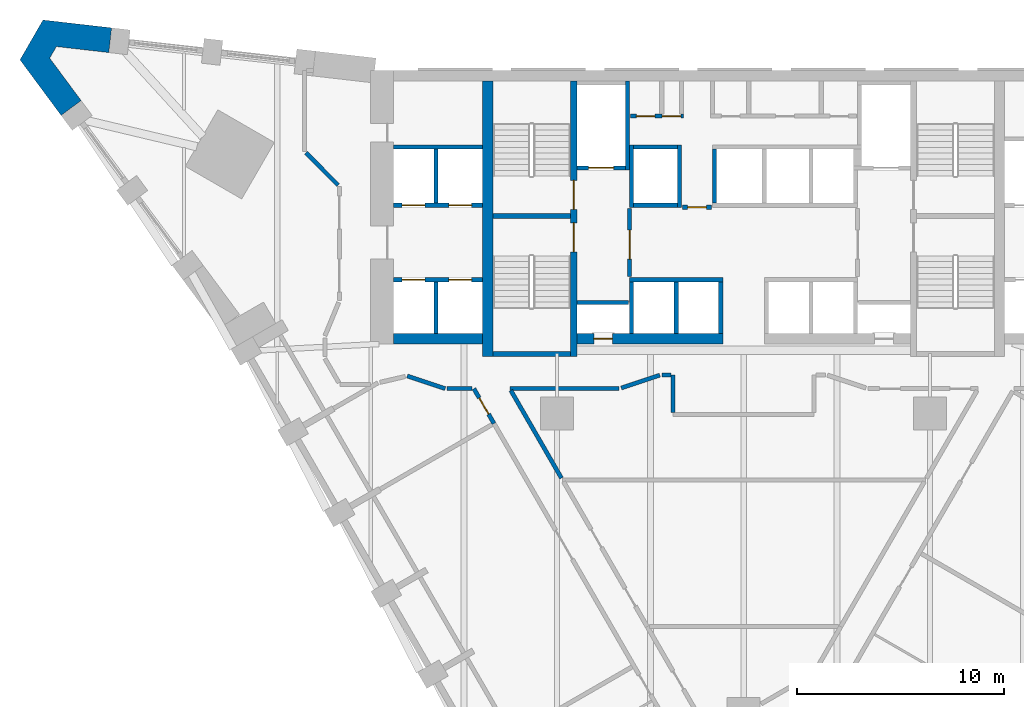
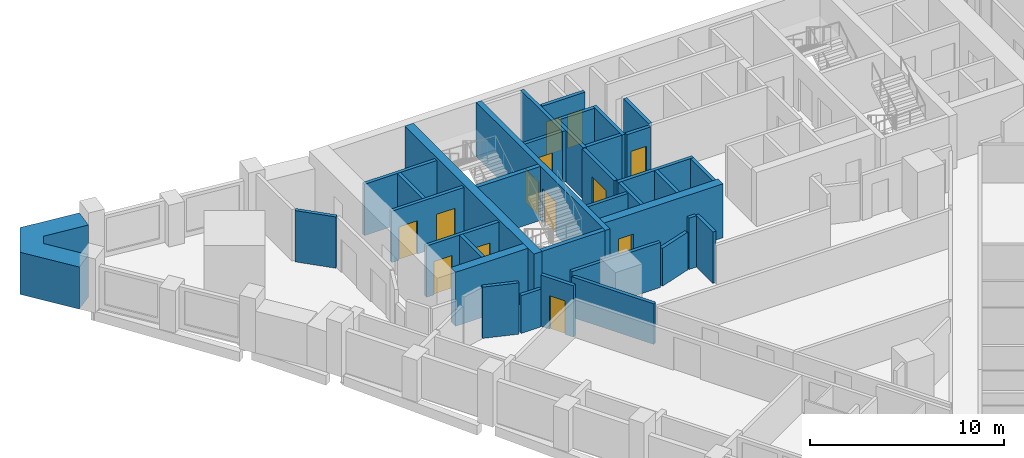
# One storey, part 6 of 10: 36 walls, 13 doors, 13 openings.
"""IFC4 building model written with IfcOpenShell, lengths in metres."""

from ifc_helpers import new_model, si_unit, direction, frame, frame_2d, origin, place, context, subcontext, project, spatial, polyline, rectangle, outline, extrude, material, layer, layer_set, type_object, element, fill, save


model = new_model("IFC4")

# Units and contexts
model_context = context("Model", 3, precision=1e-05, world=origin(), true_north=direction((0.0, 1.0)))
body_context = subcontext(model_context, "Body", "Model", "MODEL_VIEW")
ifc_project = project(units=[si_unit("LENGTHUNIT", "METRE"), si_unit("AREAUNIT", "SQUARE_METRE"), si_unit("VOLUMEUNIT", "CUBIC_METRE"), si_unit("PLANEANGLEUNIT", "RADIAN"), si_unit("MASSUNIT", "GRAM", prefix="KILO")], contexts=[model_context])

# Site, building, storey
site_placement = place(None, origin())
site = spatial("IfcSite", under=ifc_project, at=site_placement, CompositionType="ELEMENT")
building_placement = place(site_placement, origin())
building = spatial("IfcBuilding", under=site, at=building_placement, Name="Calabash Gate Tower", CompositionType="ELEMENT")
storey_placement = place(building_placement, frame((0.0, 0.0, 69.800048828125)))
storey = spatial("IfcBuildingStorey", under=building, at=storey_placement, Name="L13", CompositionType="ELEMENT", Elevation=69.800048828125)

# Walls
ifc_material_1 = material(Name="Terracotta brick masonry, exposed face", Category="masonry")
ifc_layer_1 = layer(ifc_material_1, 1.199951171875)
ifc_layer_set_1 = layer_set([ifc_layer_1], Name="Brick end wall 1200")
wall_type_1 = type_object("IfcWallType", Name="Brick end wall 1200", PredefinedType="SOLIDWALL", material=ifc_layer_set_1)
wall_1_placement = place(storey_placement, origin())
element("IfcWall", 1, at=wall_1_placement, inside=storey, type_object=wall_type_1, Name="Brick end wall S03 2", PredefinedType="SOLIDWALL", context=body_context, shape_type="SweptSolid", body=[
    extrude(outline(polyline([(-33.15966796875, 20.206787109375), (-30.630615234375, 19.917236328125), (-30.494140625, 21.109375), (-33.805419921875, 21.48876953125), (-34.915771484375, 19.5654296875), (-32.931884765625, 16.887451171875), (-31.967529296875, 17.601806640625), (-33.48291015625, 19.647216796875), (-33.15966796875, 20.206787109375)])), origin(), (0.0, 0.0, 1.0), 2.64990234375),
])
ifc_material_2 = material(Name="Concrete C80/95", Category="concrete")
ifc_layer_2 = layer(ifc_material_2, 0.25)
ifc_layer_set_2 = layer_set([ifc_layer_2], Name="Core wall 250 Concrete C80/95")
wall_type_2 = type_object("IfcWallType", Name="Core wall 250 Concrete C80/95", PredefinedType="SHEAR", material=ifc_layer_set_2)
for number, where, z_axis, x_axis, name in (
    (2, (-12.10009765625, 12.027587890625, 0.0), (0.0, 0.0, 1.0), (1.0, 0.0, 0.0), "Core wall Z1-MIDW L13"),
    (3, (-12.10009765625, 5.377685546875, 0.0), (0.0, 0.0, 1.0), (1.0, 0.0, 0.0), "Core wall Z1-SSW L13"),
):
    element("IfcWall", number, at=place(storey_placement, frame(where, z_axis=z_axis, x_axis=x_axis)), inside=storey, type_object=wall_type_2, Name=name, PredefinedType="SHEAR", context=body_context, shape_type="SweptSolid", body=[
        extrude(rectangle(XDim=3.75, YDim=0.25, at=frame_2d((1.875, 0.0))), origin(), (0.0, 0.0, 1.0), 3.39990234375),
    ])

# Wall, openings, doors
ifc_material_3 = material(Name="Concrete C80/95", Category="concrete")
ifc_layer_3 = layer(ifc_material_3, 0.300048828125)
ifc_layer_set_3 = layer_set([ifc_layer_3], Name="Core wall 300 Concrete C80/95")
wall_type_3 = type_object("IfcWallType", Name="Core wall 300 Concrete C80/95", PredefinedType="SHEAR", material=ifc_layer_set_3)
wall_2_placement = place(storey_placement, frame((-8.199951171875, 5.252685546875, 0.0), z_axis=(0.0, 0.0, 1.0), x_axis=(0.0, 1.0, 0.0)))
wall_2 = element("IfcWall", 4, at=wall_2_placement, inside=storey, type_object=wall_type_3, Name="Core wall Z1-PARTW L13", PredefinedType="SHEAR", context=body_context, shape_type="SweptSolid", body=[
    extrude(rectangle(XDim=13.2998046875, YDim=0.300048828125, at=frame_2d((6.64990234375, 0.0))), origin(), (0.0, 0.0, 1.0), 3.39990234375),
])
opening_1_placement = place(wall_2_placement, frame((7.10009765625, 0.0, 0.0)))
opening_1 = element("IfcOpeningElement", 5, at=opening_1_placement, cuts=wall_2, Name="Opening H3-015", PredefinedType="OPENING", context=body_context, shape_type="SweptSolid", body=[
    extrude(rectangle(XDim=1.39990234375, YDim=2.10009765625, at=frame_2d((0.699951171875, 1.050048828125))), frame((0.0, 0.159912109375, 0.0), z_axis=(0.0, -1.0, 0.0), x_axis=(1.0, 0.0, 0.0)), (0.0, 0.0, 1.0), 0.320068359375),
])
opening_2_placement = place(wall_2_placement, frame((5.050048828125, 0.0, 0.0)))
opening_2 = element("IfcOpeningElement", 6, at=opening_2_placement, cuts=wall_2, Name="Opening H3-016", PredefinedType="OPENING", context=body_context, shape_type="SweptSolid", body=[
    extrude(rectangle(XDim=1.39990234375, YDim=2.10009765625, at=frame_2d((0.699951171875, 1.050048828125))), frame((0.0, 0.159912109375, 0.0), z_axis=(0.0, -1.0, 0.0), x_axis=(1.0, 0.0, 0.0)), (0.0, 0.0, 1.0), 0.320068359375),
])
ifc_material_4 = material(Name="Steel fire door set with fire-resisting glazing", Category="steel")
door_type_1 = type_object("IfcDoorType", Name="Fire door D05 1400x2100 FD90", OperationType="NOTDEFINED", PredefinedType="DOOR", material=ifc_material_4)
door_1_placement = place(opening_1_placement, origin())
door_1 = element("IfcDoor", 7, at=door_1_placement, inside=storey, type_object=door_type_1, Name="Exit stair door ST1", OperationType="SINGLE_SWING_LEFT", OverallHeight=2.10009765625, OverallWidth=1.39990234375, PredefinedType="DOOR", context=body_context, shape_type="SweptSolid", body=[
    extrude(rectangle(XDim=1.39990234375, YDim=2.10009765625, at=frame_2d((0.699951171875, 1.050048828125))), frame((0.0, 0.02490234375, 0.0), z_axis=(0.0, -1.0, 0.0), x_axis=(1.0, 0.0, 0.0)), (0.0, 0.0, 1.0), 0.050048828125),
])
fill(opening_1, door_1)
door_2_placement = place(opening_2_placement, origin())
door_2 = element("IfcDoor", 8, at=door_2_placement, inside=storey, type_object=door_type_1, Name="Exit stair door ST2", OperationType="SINGLE_SWING_LEFT", OverallHeight=2.10009765625, OverallWidth=1.39990234375, PredefinedType="DOOR", context=body_context, shape_type="SweptSolid", body=[
    extrude(rectangle(XDim=1.39990234375, YDim=2.10009765625, at=frame_2d((0.699951171875, 1.050048828125))), frame((0.0, 0.02490234375, 0.0), z_axis=(0.0, -1.0, 0.0), x_axis=(1.0, 0.0, 0.0)), (0.0, 0.0, 1.0), 0.050048828125),
])
fill(opening_2, door_2)

# Wall
ifc_material_5 = material(Name="Concrete C80/95", Category="concrete")
ifc_layer_4 = layer(ifc_material_5, 0.5)
ifc_layer_set_4 = layer_set([ifc_layer_4], Name="Core wall 500 Concrete C80/95")
wall_type_4 = type_object("IfcWallType", Name="Core wall 500 Concrete C80/95", PredefinedType="SHEAR", material=ifc_layer_set_4)
wall_3_placement = place(storey_placement, frame((-12.35009765625, 5.252685546875, 0.0), z_axis=(0.0, 0.0, 1.0), x_axis=(0.0, 1.0, 0.0)))
element("IfcWall", 9, at=wall_3_placement, inside=storey, type_object=wall_type_4, Name="Core wall Z1-COLW L13", PredefinedType="SHEAR", context=body_context, shape_type="SweptSolid", body=[
    extrude(rectangle(XDim=13.2998046875, YDim=0.5, at=frame_2d((6.64990234375, 0.0))), origin(), (0.0, 0.0, 1.0), 3.39990234375),
])

# Wall, opening, door
wall_4_placement = place(storey_placement, frame((-8.050048828125, 6.1025390625, 0.0), z_axis=(0.0, 0.0, 1.0), x_axis=(1.0, 0.0, 0.0)))
wall_4 = element("IfcWall", 10, at=wall_4_placement, inside=storey, type_object=wall_type_4, Name="Core wall Z1-SA L13", PredefinedType="SHEAR", context=body_context, shape_type="SweptSolid", body=[
    extrude(rectangle(XDim=7.050048828125, YDim=0.5, at=frame_2d((3.52490234375, 0.0))), origin(), (0.0, 0.0, 1.0), 3.39990234375),
])
opening_3_placement = place(wall_4_placement, frame((0.824951171875, 0.0, 0.0)))
opening_3 = element("IfcOpeningElement", 11, at=opening_3_placement, cuts=wall_4, Name="Opening H3-014", PredefinedType="OPENING", context=body_context, shape_type="SweptSolid", body=[
    extrude(rectangle(XDim=0.89990234375, YDim=2.10009765625, at=frame_2d((0.449951171875, 1.050048828125))), frame((0.0, 0.260009765625, 0.0), z_axis=(0.0, -1.0, 0.0), x_axis=(1.0, 0.0, 0.0)), (0.0, 0.0, 1.0), 0.52001953125),
])
ifc_material_6 = material(Name="Steel fire door set with fire-resisting glazing", Category="steel")
door_type_2 = type_object("IfcDoorType", Name="Fire door D07 900x2100 FD90", OperationType="NOTDEFINED", PredefinedType="DOOR", material=ifc_material_6)
door_3_placement = place(opening_3_placement, origin())
door_3 = element("IfcDoor", 12, at=door_3_placement, inside=storey, type_object=door_type_2, Name="Electrical Riser W door", OperationType="SINGLE_SWING_LEFT", OverallHeight=2.10009765625, OverallWidth=0.89990234375, PredefinedType="DOOR", context=body_context, shape_type="SweptSolid", body=[
    extrude(rectangle(XDim=0.89990234375, YDim=2.10009765625, at=frame_2d((0.449951171875, 1.050048828125))), frame((0.0, 0.02490234375, 0.0), z_axis=(0.0, -1.0, 0.0), x_axis=(1.0, 0.0, 0.0)), (0.0, 0.0, 1.0), 0.050048828125),
])
fill(opening_3, door_3)

# Wall
wall_5_placement = place(storey_placement, frame((-12.60009765625, 6.1025390625, 0.0), z_axis=(0.0, 0.0, 1.0), x_axis=(-1.0, 0.0, 0.0)))
element("IfcWall", 13, at=wall_5_placement, inside=storey, type_object=wall_type_4, Name="Core wall Z1-SW L13", PredefinedType="SHEAR", context=body_context, shape_type="SweptSolid", body=[
    extrude(rectangle(XDim=4.2998046875, YDim=0.5, at=frame_2d((2.14990234375, 0.0))), origin(), (0.0, 0.0, 1.0), 3.39990234375),
])

# Wall, opening, door
ifc_material_7 = material(Name="Gypsum board on steel studs, mineral wool", Category="steel")
ifc_layer_5 = layer(ifc_material_7, 0.199951171875)
ifc_layer_set_5 = layer_set([ifc_layer_5], Name="Partition 200 gypsum board EI 60")
wall_type_5 = type_object("IfcWallType", Name="Partition 200 gypsum board EI 60", PredefinedType="PARTITIONING", material=ifc_layer_set_5)
wall_6_placement = place(storey_placement, frame((-13.0126953125, 3.699462890625, 0.0), z_axis=(0.0, 0.0, 1.0), x_axis=(0.499265012286, -0.866449333491, 0.0)))
wall_6 = element("IfcWall", 14, at=wall_6_placement, inside=storey, type_object=wall_type_5, Name="Partition", PredefinedType="PARTITIONING", context=body_context, shape_type="SweptSolid", body=[
    extrude(rectangle(XDim=1.94091796875, YDim=0.199951171875, at=frame_2d((0.970458984375, 0.0))), origin(), (0.0, 0.0, 1.0), 3.22998046875),
])
opening_4_placement = place(wall_6_placement, frame((0.5205078125, 0.0, 0.0)))
opening_4 = element("IfcOpeningElement", 15, at=opening_4_placement, cuts=wall_6, Name="Opening 12-14-021", PredefinedType="OPENING", context=body_context, shape_type="SweptSolid", body=[
    extrude(rectangle(XDim=0.89990234375, YDim=2.10009765625, at=frame_2d((0.449951171875, 1.050048828125))), frame((0.0, 0.10986328125, 0.0), z_axis=(0.0, -1.0, 0.0), x_axis=(1.0, 0.0, 0.0)), (0.0, 0.0, 1.0), 0.219970703125),
])
ifc_material_8 = material(Name="Steel fire door set with fire-resisting glazing", Category="steel")
door_type_3 = type_object("IfcDoorType", Name="SD3 Store door 900x2100", OperationType="NOTDEFINED", PredefinedType="DOOR", material=ifc_material_8)
door_4_placement = place(opening_4_placement, origin())
door_4 = element("IfcDoor", 16, at=door_4_placement, inside=storey, type_object=door_type_3, Name="Store door", OperationType="SINGLE_SWING_LEFT", OverallHeight=2.10009765625, OverallWidth=0.89990234375, PredefinedType="DOOR", context=body_context, shape_type="SweptSolid", body=[
    extrude(rectangle(XDim=0.89990234375, YDim=2.10009765625, at=frame_2d((0.449951171875, 1.050048828125))), frame((0.0, 0.02490234375, 0.0), z_axis=(0.0, -1.0, 0.0), x_axis=(1.0, 0.0, 0.0)), (0.0, 0.0, 1.0), 0.050048828125),
])
fill(opening_4, door_4)

# Walls
wall_7_placement = place(storey_placement, frame((-3.402099609375, 4.3505859375, 0.0), z_axis=(0.0, 0.0, 1.0), x_axis=(0.001086217961, -0.999999410065, 0.0)))
element("IfcWall", 17, at=wall_7_placement, inside=storey, type_object=wall_type_5, Name="Partition", PredefinedType="PARTITIONING", context=body_context, shape_type="SweptSolid", body=[
    extrude(rectangle(XDim=1.798095703125, YDim=0.199951171875, at=frame_2d((0.89892578125, 0.0))), origin(), (0.0, 0.0, 1.0), 3.22998046875),
])
wall_8_placement = place(storey_placement, frame((-11.22998046875, 3.61328125, 0.0), z_axis=(0.0, 0.0, 1.0), x_axis=(0.49997195544, -0.866041594713, 0.0)))
element("IfcWall", 18, at=wall_8_placement, inside=storey, type_object=wall_type_5, Name="Partition", PredefinedType="PARTITIONING", context=body_context, shape_type="SweptSolid", body=[
    extrude(rectangle(XDim=4.884521484375, YDim=0.199951171875, at=frame_2d((2.4423828125, 0.0))), origin(), (0.0, 0.0, 1.0), 2.5517578125),
])
wall_9_placement = place(storey_placement, frame((-16.228515625, 4.30908203125, 0.0), z_axis=(0.0, 0.0, 1.0), x_axis=(0.948657960303, -0.316303769112, 0.0)))
element("IfcWall", 19, at=wall_9_placement, inside=storey, type_object=wall_type_5, Name="Partition", PredefinedType="PARTITIONING", context=body_context, shape_type="SweptSolid", body=[
    extrude(rectangle(XDim=1.92724609375, YDim=0.199951171875, at=frame_2d((0.963623046875, 0.0))), origin(), (0.0, 0.0, 1.0), 3.22998046875),
])
wall_10_placement = place(storey_placement, frame((-14.30029296875, 3.699462890625, 0.0), z_axis=(0.0, 0.0, 1.0), x_axis=(1.0, 0.0, 0.0)))
element("IfcWall", 20, at=wall_10_placement, inside=storey, type_object=wall_type_5, Name="Partition", PredefinedType="PARTITIONING", context=body_context, shape_type="SweptSolid", body=[
    extrude(rectangle(XDim=1.1875, YDim=0.199951171875, at=frame_2d((0.59375, 0.0))), origin(), (0.0, 0.0, 1.0), 2.384033203125),
])
wall_11_placement = place(storey_placement, frame((-11.280029296875, 3.69970703125, 0.0), z_axis=(0.0, 0.0, 1.0), x_axis=(1.0, 0.0, 0.0)))
element("IfcWall", 21, at=wall_11_placement, inside=storey, type_object=wall_type_5, Name="Partition", PredefinedType="PARTITIONING", context=body_context, shape_type="SweptSolid", body=[
    extrude(rectangle(XDim=5.280029296875, YDim=0.199951171875, at=frame_2d((2.64013671875, 0.0))), origin(), (0.0, 0.0, 1.0), 2.83154296875),
])
wall_12_placement = place(storey_placement, frame((-5.905029296875, 3.7314453125, 0.0), z_axis=(0.0, 0.0, 1.0), x_axis=(0.948695731075, 0.316190464499, 0.0)))
element("IfcWall", 22, at=wall_12_placement, inside=storey, type_object=wall_type_5, Name="Partition", PredefinedType="PARTITIONING", context=body_context, shape_type="SweptSolid", body=[
    extrude(rectangle(XDim=1.963623046875, YDim=0.199951171875, at=frame_2d((0.98193359375, 0.0))), origin(), (0.0, 0.0, 1.0), 2.384033203125),
])
wall_13_placement = place(storey_placement, frame((-3.9423828125, 4.35205078125, 0.0), z_axis=(0.0, 0.0, 1.0), x_axis=(0.999996159087, -0.00277160798, 0.0)))
element("IfcWall", 23, at=wall_13_placement, inside=storey, type_object=wall_type_5, Name="Partition", PredefinedType="PARTITIONING", context=body_context, shape_type="SweptSolid", body=[
    extrude(rectangle(XDim=0.4404296875, YDim=0.199951171875, at=frame_2d((0.22021484375, 0.0))), origin(), (0.0, 0.0, 1.0), 3.22998046875),
])
wall_14_placement = place(storey_placement, frame((-21.115234375, 15.08154296875, 0.0), z_axis=(0.0, 0.0, 1.0), x_axis=(0.703983957636, -0.710215873796, 0.0)))
element("IfcWall", 24, at=wall_14_placement, inside=storey, type_object=wall_type_5, Name="Partition", PredefinedType="PARTITIONING", context=body_context, shape_type="SweptSolid", body=[
    extrude(rectangle(XDim=2.19384765625, YDim=0.199951171875, at=frame_2d((1.096923828125, 0.0))), origin(), (0.0, 0.0, 1.0), 3.22998046875),
])
ifc_material_9 = material(Name="Concrete C40/50", Category="concrete")
ifc_layer_6 = layer(ifc_material_9, 0.199951171875)
ifc_layer_set_6 = layer_set([ifc_layer_6], Name="Shaft wall 200 Concrete C40/50")
wall_type_6 = type_object("IfcWallType", Name="Shaft wall 200 Concrete C40/50", PredefinedType="SOLIDWALL", material=ifc_layer_set_6)
for number, where, z_axis, x_axis, name in (
    (25, (-14.85009765625, 6.3525390625, 0.0), (0.0, 0.0, 1.0), (0.0, 1.0, 0.0), "Shaft wall"),
    (26, (-5.39990234375, 6.3525390625, 0.0), (0.0, 0.0, 1.0), (0.0, 1.0, 0.0), "Shaft wall"),
    (27, (-3.25, 6.3525390625, 0.0), (0.0, 0.0, 1.0), (0.0, 1.0, 0.0), "Shaft wall"),
    (28, (-1.10009765625, 6.3525390625, 0.0), (0.0, 0.0, 1.0), (0.0, 1.0, 0.0), "Shaft wall"),
    (29, (-8.050048828125, 7.8525390625, 0.0), (0.0, 0.0, 1.0), (1.0, 0.0, 0.0), "Shaft wall"),
):
    element("IfcWall", number, at=place(storey_placement, frame(where, z_axis=z_axis, x_axis=x_axis)), inside=storey, type_object=wall_type_6, Name=name, PredefinedType="SOLIDWALL", context=body_context, shape_type="SweptSolid", body=[
        extrude(rectangle(XDim=2.5, YDim=0.199951171875, at=frame_2d((1.25, 0.0))), origin(), (0.0, 0.0, 1.0), 3.22998046875),
    ])

# Wall, openings, doors
wall_15_placement = place(storey_placement, frame((-16.89990234375, 8.95263671875, 0.0), z_axis=(0.0, 0.0, 1.0), x_axis=(1.0, 0.0, 0.0)))
wall_15 = element("IfcWall", 30, at=wall_15_placement, inside=storey, type_object=wall_type_6, Name="Shaft wall", PredefinedType="SOLIDWALL", context=body_context, shape_type="SweptSolid", body=[
    extrude(rectangle(XDim=4.2998046875, YDim=0.199951171875, at=frame_2d((2.14990234375, 0.0))), origin(), (0.0, 0.0, 1.0), 3.22998046875),
])
opening_5_placement = place(wall_15_placement, frame((2.675048828125, 0.0, 0.0)))
opening_5 = element("IfcOpeningElement", 31, at=opening_5_placement, cuts=wall_15, Name="Opening LD-LR1", PredefinedType="OPENING", context=body_context, shape_type="SweptSolid", body=[
    extrude(rectangle(XDim=1.10009765625, YDim=2.10009765625, at=frame_2d((0.550048828125, 1.050048828125))), frame((0.0, 0.10986328125, 0.0), z_axis=(0.0, -1.0, 0.0), x_axis=(1.0, 0.0, 0.0)), (0.0, 0.0, 1.0), 0.219970703125),
])
opening_6_placement = place(wall_15_placement, frame((0.425048828125, 0.0, 0.0)))
opening_6 = element("IfcOpeningElement", 32, at=opening_6_placement, cuts=wall_15, Name="Opening LD-LR2", PredefinedType="OPENING", context=body_context, shape_type="SweptSolid", body=[
    extrude(rectangle(XDim=1.10009765625, YDim=2.10009765625, at=frame_2d((0.550048828125, 1.050048828125))), frame((0.0, 0.10986328125, 0.0), z_axis=(0.0, -1.0, 0.0), x_axis=(1.0, 0.0, 0.0)), (0.0, 0.0, 1.0), 0.219970703125),
])
ifc_material_10 = material(Name="Stainless steel sliding door leaves", Category="steel")
door_type_4 = type_object("IfcDoorType", Name="Lift landing door LS1 1100x2100 FD90", OperationType="DOUBLE_DOOR_SLIDING", PredefinedType="DOOR", material=ifc_material_10)
door_5_placement = place(opening_5_placement, origin())
door_5 = element("IfcDoor", 33, at=door_5_placement, inside=storey, type_object=door_type_4, Name="Lift landing door LR1", OperationType="DOUBLE_DOOR_SLIDING", OverallHeight=2.10009765625, OverallWidth=1.10009765625, PredefinedType="DOOR", context=body_context, shape_type="SweptSolid", body=[
    extrude(rectangle(XDim=1.10009765625, YDim=2.10009765625, at=frame_2d((0.550048828125, 1.050048828125))), frame((0.0, 0.02490234375, 0.0), z_axis=(0.0, -1.0, 0.0), x_axis=(1.0, 0.0, 0.0)), (0.0, 0.0, 1.0), 0.050048828125),
])
fill(opening_5, door_5)
door_6_placement = place(opening_6_placement, origin())
door_6 = element("IfcDoor", 34, at=door_6_placement, inside=storey, type_object=door_type_4, Name="Lift landing door LR2", OperationType="DOUBLE_DOOR_SLIDING", OverallHeight=2.10009765625, OverallWidth=1.10009765625, PredefinedType="DOOR", context=body_context, shape_type="SweptSolid", body=[
    extrude(rectangle(XDim=1.10009765625, YDim=2.10009765625, at=frame_2d((0.550048828125, 1.050048828125))), frame((0.0, 0.02490234375, 0.0), z_axis=(0.0, -1.0, 0.0), x_axis=(1.0, 0.0, 0.0)), (0.0, 0.0, 1.0), 0.050048828125),
])
fill(opening_6, door_6)

# Wall
wall_16_placement = place(storey_placement, frame((-5.5, 8.95263671875, 0.0), z_axis=(0.0, 0.0, 1.0), x_axis=(1.0, 0.0, 0.0)))
element("IfcWall", 35, at=wall_16_placement, inside=storey, type_object=wall_type_6, Name="Shaft wall", PredefinedType="SOLIDWALL", context=body_context, shape_type="SweptSolid", body=[
    extrude(rectangle(XDim=4.5, YDim=0.199951171875, at=frame_2d((2.25, 0.0))), origin(), (0.0, 0.0, 1.0), 3.22998046875),
])

# Wall, opening, door
wall_17_placement = place(storey_placement, frame((-5.5, 9.1025390625, 0.0), z_axis=(0.0, 0.0, 1.0), x_axis=(0.0, 1.0, 0.0)))
wall_17 = element("IfcWall", 36, at=wall_17_placement, inside=storey, type_object=wall_type_6, Name="Shaft wall", PredefinedType="SOLIDWALL", context=body_context, shape_type="SweptSolid", body=[
    extrude(rectangle(XDim=3.300048828125, YDim=0.199951171875, at=frame_2d((1.64990234375, 0.0))), origin(), (0.0, 0.0, 1.0), 3.22998046875),
])
opening_7_placement = place(wall_17_placement, frame((0.85009765625, 0.0, 0.0)))
opening_7 = element("IfcOpeningElement", 37, at=opening_7_placement, cuts=wall_17, Name="Opening H3-007", PredefinedType="OPENING", context=body_context, shape_type="SweptSolid", body=[
    extrude(rectangle(XDim=1.39990234375, YDim=2.10009765625, at=frame_2d((0.699951171875, 1.050048828125))), frame((0.0, 0.10986328125, 0.0), z_axis=(0.0, -1.0, 0.0), x_axis=(1.0, 0.0, 0.0)), (0.0, 0.0, 1.0), 0.219970703125),
])
door_7_placement = place(opening_7_placement, origin())
door_7 = element("IfcDoor", 38, at=door_7_placement, inside=storey, type_object=door_type_1, Name="Firefighting Lobby W door", OperationType="SINGLE_SWING_RIGHT", OverallHeight=2.10009765625, OverallWidth=1.39990234375, PredefinedType="DOOR", context=body_context, shape_type="SweptSolid", body=[
    extrude(rectangle(XDim=1.39990234375, YDim=2.10009765625, at=frame_2d((0.699951171875, 1.050048828125))), frame((0.0, 0.02490234375, 0.0), z_axis=(0.0, -1.0, 0.0), x_axis=(1.0, 0.0, 0.0)), (0.0, 0.0, 1.0), 0.050048828125),
])
fill(opening_7, door_7)

wall_18_placement = place(storey_placement, frame((-2.949951171875, 12.45263671875, 0.0), z_axis=(0.0, 0.0, 1.0), x_axis=(1.0, 0.0, 0.0)))
wall_18 = element("IfcWall", 39, at=wall_18_placement, inside=storey, type_object=wall_type_6, Name="Shaft wall", PredefinedType="SOLIDWALL", context=body_context, shape_type="SweptSolid", body=[
    extrude(rectangle(XDim=1.39990234375, YDim=0.199951171875, at=frame_2d((0.699951171875, 0.0))), origin(), (0.0, 0.0, 1.0), 3.22998046875),
])
opening_8_placement = place(wall_18_placement, frame((0.25, 0.0, 0.0)))
opening_8 = element("IfcOpeningElement", 40, at=opening_8_placement, cuts=wall_18, Name="Opening H3-005", PredefinedType="OPENING", context=body_context, shape_type="SweptSolid", body=[
    extrude(rectangle(XDim=0.89990234375, YDim=2.10009765625, at=frame_2d((0.449951171875, 1.050048828125))), frame((0.0, 0.10986328125, 0.0), z_axis=(0.0, -1.0, 0.0), x_axis=(1.0, 0.0, 0.0)), (0.0, 0.0, 1.0), 0.219970703125),
])
ifc_material_11 = material(Name="Steel fire door set with fire-resisting glazing", Category="steel")
door_type_5 = type_object("IfcDoorType", Name="Fire door D06 900x2100 FD60", OperationType="NOTDEFINED", PredefinedType="DOOR", material=ifc_material_11)
door_8_placement = place(opening_8_placement, origin())
door_8 = element("IfcDoor", 41, at=door_8_placement, inside=storey, type_object=door_type_5, Name="Service Corridor door", OperationType="SINGLE_SWING_RIGHT", OverallHeight=2.10009765625, OverallWidth=0.89990234375, PredefinedType="DOOR", context=body_context, shape_type="SweptSolid", body=[
    extrude(rectangle(XDim=0.89990234375, YDim=2.10009765625, at=frame_2d((0.449951171875, 1.050048828125))), frame((0.0, 0.02490234375, 0.0), z_axis=(0.0, -1.0, 0.0), x_axis=(1.0, 0.0, 0.0)), (0.0, 0.0, 1.0), 0.050048828125),
])
fill(opening_8, door_8)

# Wall, openings, doors
wall_19_placement = place(storey_placement, frame((-16.89990234375, 12.552490234375, 0.0), z_axis=(0.0, 0.0, 1.0), x_axis=(1.0, 0.0, 0.0)))
wall_19 = element("IfcWall", 42, at=wall_19_placement, inside=storey, type_object=wall_type_6, Name="Shaft wall", PredefinedType="SOLIDWALL", context=body_context, shape_type="SweptSolid", body=[
    extrude(rectangle(XDim=4.2998046875, YDim=0.199951171875, at=frame_2d((2.14990234375, 0.0))), origin(), (0.0, 0.0, 1.0), 3.22998046875),
])
opening_9_placement = place(wall_19_placement, frame((2.675048828125, 0.0, 0.0)))
opening_9 = element("IfcOpeningElement", 43, at=opening_9_placement, cuts=wall_19, Name="Opening LD-LR3", PredefinedType="OPENING", context=body_context, shape_type="SweptSolid", body=[
    extrude(rectangle(XDim=1.10009765625, YDim=2.10009765625, at=frame_2d((0.550048828125, 1.050048828125))), frame((0.0, 0.10986328125, 0.0), z_axis=(0.0, -1.0, 0.0), x_axis=(1.0, 0.0, 0.0)), (0.0, 0.0, 1.0), 0.219970703125),
])
opening_10_placement = place(wall_19_placement, frame((0.425048828125, 0.0, 0.0)))
opening_10 = element("IfcOpeningElement", 44, at=opening_10_placement, cuts=wall_19, Name="Opening LD-LR4", PredefinedType="OPENING", context=body_context, shape_type="SweptSolid", body=[
    extrude(rectangle(XDim=1.10009765625, YDim=2.10009765625, at=frame_2d((0.550048828125, 1.050048828125))), frame((0.0, 0.10986328125, 0.0), z_axis=(0.0, -1.0, 0.0), x_axis=(1.0, 0.0, 0.0)), (0.0, 0.0, 1.0), 0.219970703125),
])
door_9_placement = place(opening_9_placement, origin())
door_9 = element("IfcDoor", 45, at=door_9_placement, inside=storey, type_object=door_type_4, Name="Lift landing door LR3", OperationType="DOUBLE_DOOR_SLIDING", OverallHeight=2.10009765625, OverallWidth=1.10009765625, PredefinedType="DOOR", context=body_context, shape_type="SweptSolid", body=[
    extrude(rectangle(XDim=1.10009765625, YDim=2.10009765625, at=frame_2d((0.550048828125, 1.050048828125))), frame((0.0, 0.02490234375, 0.0), z_axis=(0.0, -1.0, 0.0), x_axis=(1.0, 0.0, 0.0)), (0.0, 0.0, 1.0), 0.050048828125),
])
fill(opening_9, door_9)
door_10_placement = place(opening_10_placement, origin())
door_10 = element("IfcDoor", 46, at=door_10_placement, inside=storey, type_object=door_type_4, Name="Lift landing door LR4", OperationType="DOUBLE_DOOR_SLIDING", OverallHeight=2.10009765625, OverallWidth=1.10009765625, PredefinedType="DOOR", context=body_context, shape_type="SweptSolid", body=[
    extrude(rectangle(XDim=1.10009765625, YDim=2.10009765625, at=frame_2d((0.550048828125, 1.050048828125))), frame((0.0, 0.02490234375, 0.0), z_axis=(0.0, -1.0, 0.0), x_axis=(1.0, 0.0, 0.0)), (0.0, 0.0, 1.0), 0.050048828125),
])
fill(opening_10, door_10)

# Walls
wall_20_placement = place(storey_placement, frame((-5.39990234375, 12.45263671875, 0.0), z_axis=(0.0, 0.0, 1.0), x_axis=(0.0, 1.0, 0.0)))
element("IfcWall", 47, at=wall_20_placement, inside=storey, type_object=wall_type_6, Name="Shaft wall", PredefinedType="SOLIDWALL", context=body_context, shape_type="SweptSolid", body=[
    extrude(rectangle(XDim=3.0, YDim=0.199951171875, at=frame_2d((1.5, 0.0))), origin(), (0.0, 0.0, 1.0), 3.22998046875),
])
wall_21_placement = place(storey_placement, frame((-5.300048828125, 12.552490234375, 0.0), z_axis=(0.0, 0.0, 1.0), x_axis=(1.0, 0.0, 0.0)))
element("IfcWall", 48, at=wall_21_placement, inside=storey, type_object=wall_type_6, Name="Shaft wall", PredefinedType="SOLIDWALL", context=body_context, shape_type="SweptSolid", body=[
    extrude(rectangle(XDim=2.10009765625, YDim=0.199951171875, at=frame_2d((1.050048828125, 0.0))), origin(), (0.0, 0.0, 1.0), 3.22998046875),
])
wall_22_placement = place(storey_placement, frame((-3.10009765625, 12.45263671875, 0.0), z_axis=(0.0, 0.0, 1.0), x_axis=(0.0, 1.0, 0.0)))
element("IfcWall", 49, at=wall_22_placement, inside=storey, type_object=wall_type_6, Name="Shaft wall", PredefinedType="SOLIDWALL", context=body_context, shape_type="SweptSolid", body=[
    extrude(rectangle(XDim=3.0, YDim=0.199951171875, at=frame_2d((1.5, 0.0))), origin(), (0.0, 0.0, 1.0), 3.22998046875),
])
for number, where, z_axis, x_axis, name in (
    (50, (-14.85009765625, 12.652587890625, 0.0), (0.0, 0.0, 1.0), (0.0, 1.0, 0.0), "Shaft wall"),
    (51, (-1.39990234375, 12.652587890625, 0.0), (0.0, 0.0, 1.0), (0.0, 1.0, 0.0), "Shaft wall"),
):
    element("IfcWall", number, at=place(storey_placement, frame(where, z_axis=z_axis, x_axis=x_axis)), inside=storey, type_object=wall_type_6, Name=name, PredefinedType="SOLIDWALL", context=body_context, shape_type="SweptSolid", body=[
        extrude(rectangle(XDim=2.60009765625, YDim=0.199951171875, at=frame_2d((1.300048828125, 0.0))), origin(), (0.0, 0.0, 1.0), 3.22998046875),
    ])

# Wall, opening, door
wall_23_placement = place(storey_placement, frame((-8.050048828125, 14.3525390625, 0.0), z_axis=(0.0, 0.0, 1.0), x_axis=(1.0, 0.0, 0.0)))
wall_23 = element("IfcWall", 52, at=wall_23_placement, inside=storey, type_object=wall_type_6, Name="Shaft wall", PredefinedType="SOLIDWALL", context=body_context, shape_type="SweptSolid", body=[
    extrude(rectangle(XDim=2.35009765625, YDim=0.199951171875, at=frame_2d((1.175048828125, 0.0))), origin(), (0.0, 0.0, 1.0), 3.22998046875),
])
opening_11_placement = place(wall_23_placement, frame((0.574951171875, 0.0, 0.0)))
opening_11 = element("IfcOpeningElement", 53, at=opening_11_placement, cuts=wall_23, Name="Opening LD-FF1", PredefinedType="OPENING", context=body_context, shape_type="SweptSolid", body=[
    extrude(rectangle(XDim=1.199951171875, YDim=2.10009765625, at=frame_2d((0.60009765625, 1.050048828125))), frame((0.0, 0.10986328125, 0.0), z_axis=(0.0, -1.0, 0.0), x_axis=(1.0, 0.0, 0.0)), (0.0, 0.0, 1.0), 0.219970703125),
])
ifc_material_12 = material(Name="Stainless steel sliding door leaves", Category="steel")
door_type_6 = type_object("IfcDoorType", Name="Lift landing door LS3 1200x2100 FD90", OperationType="DOUBLE_DOOR_SLIDING", PredefinedType="DOOR", material=ifc_material_12)
door_11_placement = place(opening_11_placement, origin())
door_11 = element("IfcDoor", 54, at=door_11_placement, inside=storey, type_object=door_type_6, Name="Lift landing door FF1", OperationType="DOUBLE_DOOR_SLIDING", OverallHeight=2.10009765625, OverallWidth=1.199951171875, PredefinedType="DOOR", context=body_context, shape_type="SweptSolid", body=[
    extrude(rectangle(XDim=1.199951171875, YDim=2.10009765625, at=frame_2d((0.60009765625, 1.050048828125))), frame((0.0, 0.02490234375, 0.0), z_axis=(0.0, -1.0, 0.0), x_axis=(1.0, 0.0, 0.0)), (0.0, 0.0, 1.0), 0.050048828125),
])
fill(opening_11, door_11)

# Walls
for number, where, z_axis, x_axis, name in (
    (55, (-5.60009765625, 14.252685546875, 0.0), (0.0, 0.0, 1.0), (0.0, 1.0, 0.0), "Shaft wall"),
    (56, (-16.89990234375, 15.3525390625, 0.0), (0.0, 0.0, 1.0), (1.0, 0.0, 0.0), "Shaft wall"),
):
    element("IfcWall", number, at=place(storey_placement, frame(where, z_axis=z_axis, x_axis=x_axis)), inside=storey, type_object=wall_type_6, Name=name, PredefinedType="SOLIDWALL", context=body_context, shape_type="SweptSolid", body=[
        extrude(rectangle(XDim=4.2998046875, YDim=0.199951171875, at=frame_2d((2.14990234375, 0.0))), origin(), (0.0, 0.0, 1.0), 3.22998046875),
    ])
wall_24_placement = place(storey_placement, frame((-5.300048828125, 15.3525390625, 0.0), z_axis=(0.0, 0.0, 1.0), x_axis=(1.0, 0.0, 0.0)))
element("IfcWall", 57, at=wall_24_placement, inside=storey, type_object=wall_type_6, Name="Shaft wall", PredefinedType="SOLIDWALL", context=body_context, shape_type="SweptSolid", body=[
    extrude(rectangle(XDim=2.10009765625, YDim=0.199951171875, at=frame_2d((1.050048828125, 0.0))), origin(), (0.0, 0.0, 1.0), 3.22998046875),
])

# Wall, openings, doors
wall_25_placement = place(storey_placement, frame((-5.449951171875, 16.8525390625, 0.0), z_axis=(0.0, 0.0, 1.0), x_axis=(1.0, 0.0, 0.0)))
wall_25 = element("IfcWall", 58, at=wall_25_placement, inside=storey, type_object=wall_type_6, Name="Shaft wall", PredefinedType="SOLIDWALL", context=body_context, shape_type="SweptSolid", body=[
    extrude(rectangle(XDim=2.550048828125, YDim=0.199951171875, at=frame_2d((1.27490234375, 0.0))), origin(), (0.0, 0.0, 1.0), 3.22998046875),
])
opening_12_placement = place(wall_25_placement, frame((0.27490234375, 0.0, 0.0)))
opening_12 = element("IfcOpeningElement", 59, at=opening_12_placement, cuts=wall_25, Name="Opening H3-008", PredefinedType="OPENING", context=body_context, shape_type="SweptSolid", body=[
    extrude(rectangle(XDim=0.89990234375, YDim=2.10009765625, at=frame_2d((0.449951171875, 1.050048828125))), frame((0.0, 0.10986328125, 0.0), z_axis=(0.0, -1.0, 0.0), x_axis=(1.0, 0.0, 0.0)), (0.0, 0.0, 1.0), 0.219970703125),
])
opening_13_placement = place(wall_25_placement, frame((1.52490234375, 0.0, 0.0)))
opening_13 = element("IfcOpeningElement", 60, at=opening_13_placement, cuts=wall_25, Name="Opening H3-009", PredefinedType="OPENING", context=body_context, shape_type="SweptSolid", body=[
    extrude(rectangle(XDim=0.89990234375, YDim=2.10009765625, at=frame_2d((0.449951171875, 1.050048828125))), frame((0.0, 0.10986328125, 0.0), z_axis=(0.0, -1.0, 0.0), x_axis=(1.0, 0.0, 0.0)), (0.0, 0.0, 1.0), 0.219970703125),
])
door_12_placement = place(opening_12_placement, origin())
door_12 = element("IfcDoor", 61, at=door_12_placement, inside=storey, type_object=door_type_5, Name="Ice and Vending door", OperationType="SINGLE_SWING_LEFT", OverallHeight=2.10009765625, OverallWidth=0.89990234375, PredefinedType="DOOR", context=body_context, shape_type="SweptSolid", body=[
    extrude(rectangle(XDim=0.89990234375, YDim=2.10009765625, at=frame_2d((0.449951171875, 1.050048828125))), frame((0.0, 0.02490234375, 0.0), z_axis=(0.0, -1.0, 0.0), x_axis=(1.0, 0.0, 0.0)), (0.0, 0.0, 1.0), 0.050048828125),
])
fill(opening_12, door_12)
door_13_placement = place(opening_13_placement, origin())
door_13 = element("IfcDoor", 62, at=door_13_placement, inside=storey, type_object=door_type_5, Name="Cleaner's Store door", OperationType="SINGLE_SWING_LEFT", OverallHeight=2.10009765625, OverallWidth=0.89990234375, PredefinedType="DOOR", context=body_context, shape_type="SweptSolid", body=[
    extrude(rectangle(XDim=0.89990234375, YDim=2.10009765625, at=frame_2d((0.449951171875, 1.050048828125))), frame((0.0, 0.02490234375, 0.0), z_axis=(0.0, -1.0, 0.0), x_axis=(1.0, 0.0, 0.0)), (0.0, 0.0, 1.0), 0.050048828125),
])
fill(opening_13, door_13)

save(model, "model.ifc")
